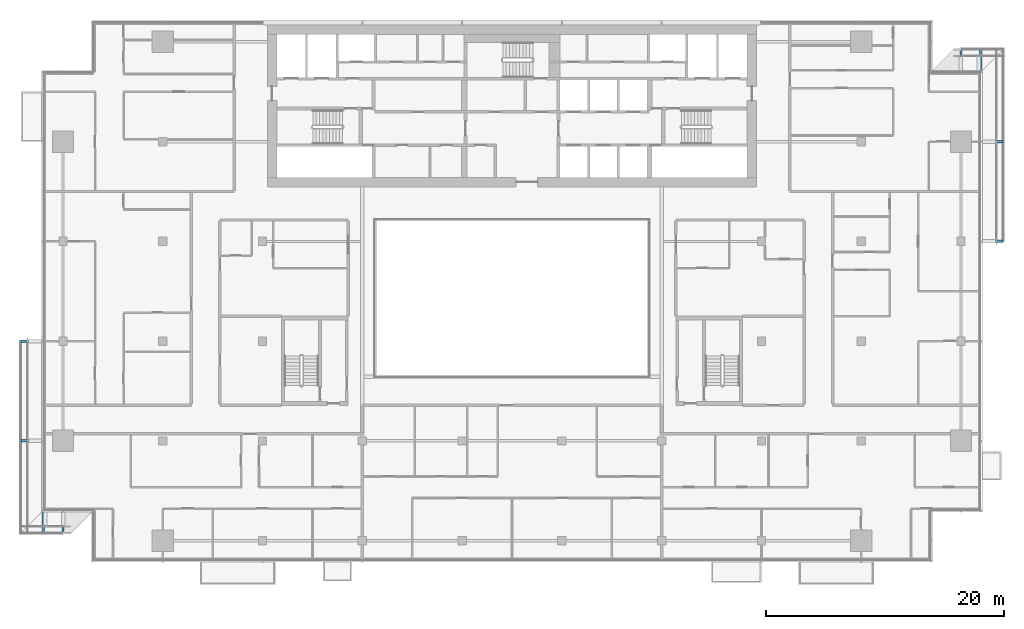
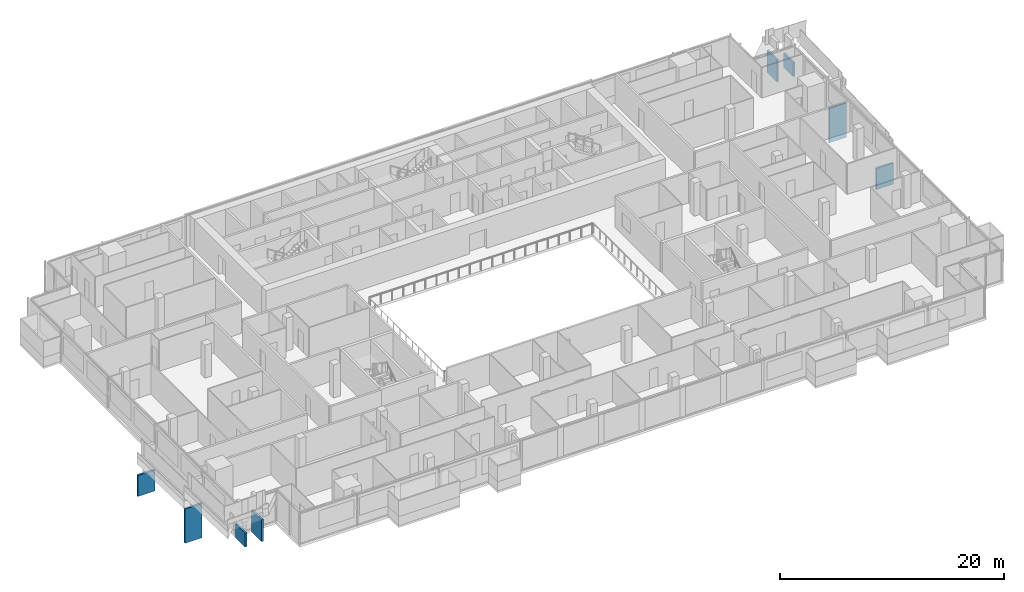
# One storey, part 26 of 30: 8 discrete accessories.
"""IFC4 building model written with IfcOpenShell, lengths in metres."""

from ifc_helpers import new_model, si_unit, direction, frame, origin, origin_2d, place, context, subcontext, project, spatial, rectangle, extrude, element, save


model = new_model("IFC4")

# Units and contexts
model_context = context("Model", 3, precision=1e-05, world=origin(), true_north=direction((0.0, 1.0)))
body_context = subcontext(model_context, "Body", "Model", "MODEL_VIEW")
ifc_project = project(units=[si_unit("LENGTHUNIT", "METRE"), si_unit("AREAUNIT", "SQUARE_METRE"), si_unit("VOLUMEUNIT", "CUBIC_METRE"), si_unit("PLANEANGLEUNIT", "RADIAN"), si_unit("MASSUNIT", "GRAM", prefix="KILO")], contexts=[model_context])

# Site, building, storey
site_placement = place(None, origin())
site = spatial("IfcSite", under=ifc_project, at=site_placement, CompositionType="ELEMENT")
building_placement = place(site_placement, origin())
building = spatial("IfcBuilding", under=site, at=building_placement, Name="Saffron Gate Tower", CompositionType="ELEMENT")
storey_placement = place(building_placement, frame((0.0, 0.0, 165.449951171875)))
storey = spatial("IfcBuildingStorey", under=building, at=storey_placement, Name="L40", CompositionType="ELEMENT", Elevation=165.449951171875)

# Discrete accessories
discrete_accessory_1_placement = place(storey_placement, frame((128.074951171875, 57.0, -3.8798828125), z_axis=(0.0, 0.0, 1.0), x_axis=(0.0, 1.0, 0.0)))
element("IfcDiscreteAccessory", 1, at=discrete_accessory_1_placement, inside=storey, Name="LEDGE rib", PredefinedType="BRACKET", context=body_context, shape_type="SweptSolid", body=[
    extrude(rectangle(XDim=0.199951171875, YDim=1.75, at=origin_2d()), origin(), (0.0, 0.0, 1.0), 2.293701171875),
])
discrete_accessory_2_placement = place(storey_placement, frame((128.074951171875, 65.39990234375, -3.8798828125), z_axis=(0.0, 0.0, 1.0), x_axis=(0.0, 1.0, 0.0)))
element("IfcDiscreteAccessory", 2, at=discrete_accessory_2_placement, inside=storey, Name="LEDGE rib", PredefinedType="BRACKET", context=body_context, shape_type="SweptSolid", body=[
    extrude(rectangle(XDim=0.199951171875, YDim=1.75, at=origin_2d()), origin(), (0.0, 0.0, 1.0), 3.736083984375),
])
discrete_accessory_3_placement = place(storey_placement, frame((127.080078125, 72.27490234375, -0.280029296875), z_axis=(0.0, 0.0, 1.0), x_axis=(-1.0, 0.0, 0.0)))
element("IfcDiscreteAccessory", 3, at=discrete_accessory_3_placement, inside=storey, Name="LEDGE rib", PredefinedType="BRACKET", context=body_context, shape_type="SweptSolid", body=[
    extrude(rectangle(XDim=0.199951171875, YDim=1.75, at=origin_2d()), origin(), (0.0, 0.0, 1.0), 1.50927734375),
])
discrete_accessory_4_placement = place(storey_placement, frame((125.39990234375, 72.27490234375, -0.280029296875), z_axis=(0.0, 0.0, 1.0), x_axis=(-1.0, 0.0, 0.0)))
element("IfcDiscreteAccessory", 4, at=discrete_accessory_4_placement, inside=storey, Name="LEDGE rib", PredefinedType="BRACKET", context=body_context, shape_type="SweptSolid", body=[
    extrude(rectangle(XDim=0.199951171875, YDim=1.75, at=origin_2d()), origin(), (0.0, 0.0, 1.0), 2.41845703125),
])
discrete_accessory_5_placement = place(storey_placement, frame((47.125, 48.60009765625, -3.8798828125), z_axis=(0.0, 0.0, 1.0), x_axis=(0.0, -1.0, 0.0)))
element("IfcDiscreteAccessory", 5, at=discrete_accessory_5_placement, inside=storey, Name="LEDGE rib", PredefinedType="BRACKET", context=body_context, shape_type="SweptSolid", body=[
    extrude(rectangle(XDim=0.199951171875, YDim=1.75, at=origin_2d()), origin(), (0.0, 0.0, 1.0), 2.293701171875),
])
discrete_accessory_6_placement = place(storey_placement, frame((47.125, 40.199951171875, -3.8798828125), z_axis=(0.0, 0.0, 1.0), x_axis=(0.0, -1.0, 0.0)))
element("IfcDiscreteAccessory", 6, at=discrete_accessory_6_placement, inside=storey, Name="LEDGE rib", PredefinedType="BRACKET", context=body_context, shape_type="SweptSolid", body=[
    extrude(rectangle(XDim=0.199951171875, YDim=1.75, at=origin_2d()), origin(), (0.0, 0.0, 1.0), 3.736083984375),
])
discrete_accessory_7_placement = place(storey_placement, frame((48.1201171875, 33.324951171875, -0.280029296875), z_axis=(0.0, 0.0, 1.0), x_axis=(1.0, 0.0, 0.0)))
element("IfcDiscreteAccessory", 7, at=discrete_accessory_7_placement, inside=storey, Name="LEDGE rib", PredefinedType="BRACKET", context=body_context, shape_type="SweptSolid", body=[
    extrude(rectangle(XDim=0.199951171875, YDim=1.75, at=origin_2d()), origin(), (0.0, 0.0, 1.0), 1.50927734375),
])
discrete_accessory_8_placement = place(storey_placement, frame((49.800048828125, 33.324951171875, -0.280029296875), z_axis=(0.0, 0.0, 1.0), x_axis=(1.0, 0.0, 0.0)))
element("IfcDiscreteAccessory", 8, at=discrete_accessory_8_placement, inside=storey, Name="LEDGE rib", PredefinedType="BRACKET", context=body_context, shape_type="SweptSolid", body=[
    extrude(rectangle(XDim=0.199951171875, YDim=1.75, at=origin_2d()), origin(), (0.0, 0.0, 1.0), 2.41845703125),
])

save(model, "model.ifc")
